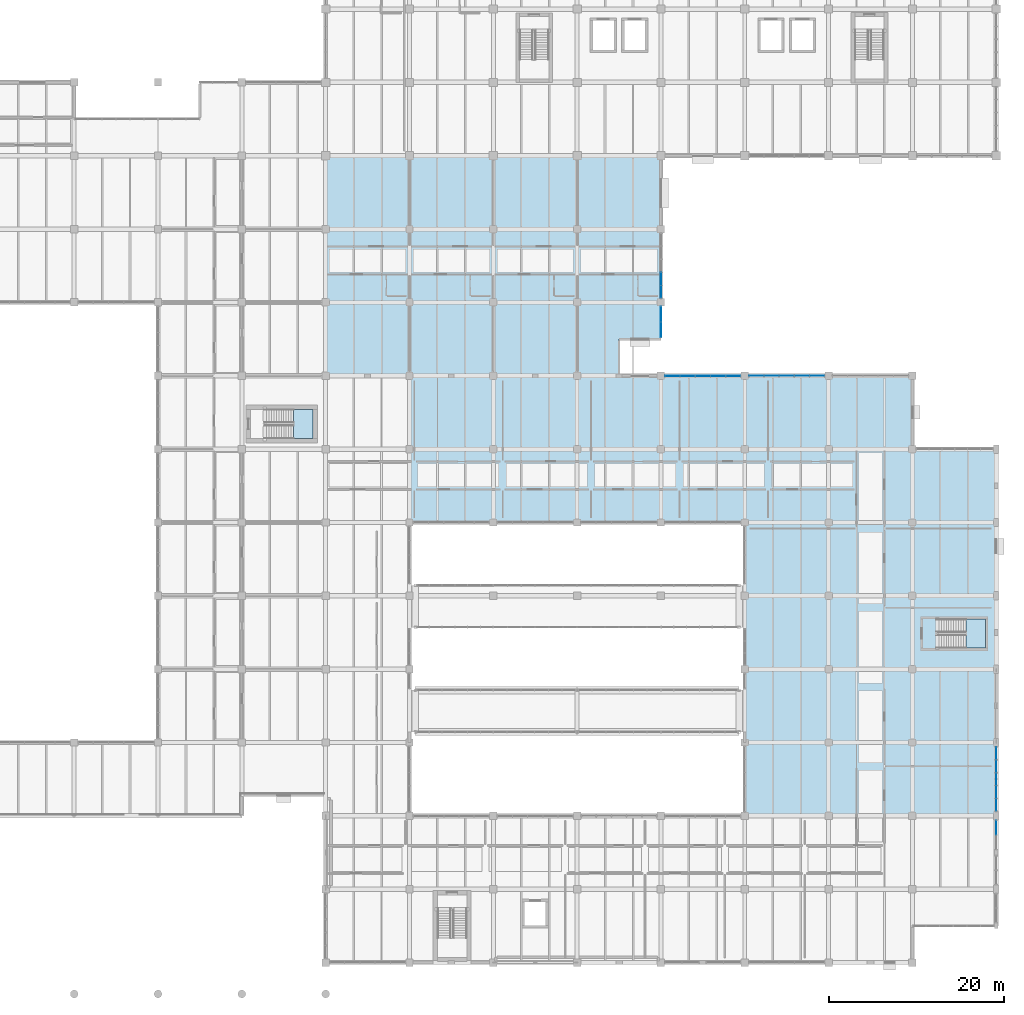
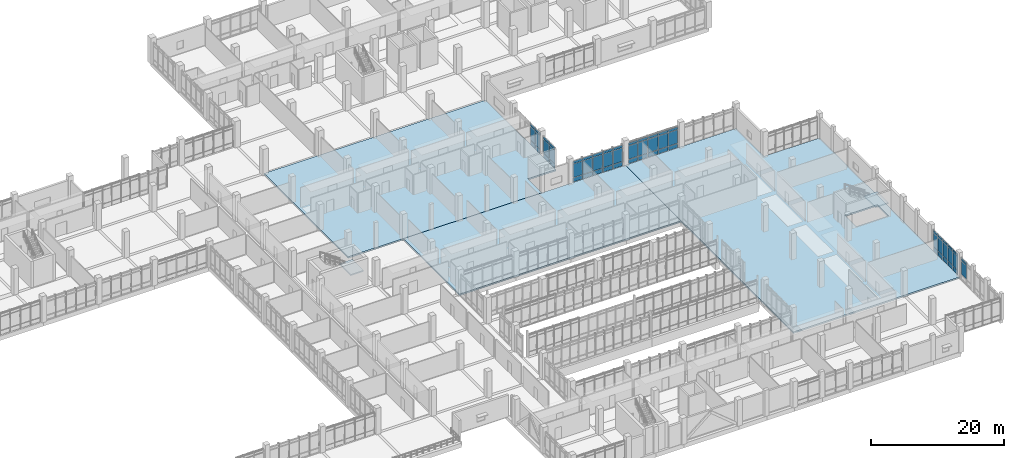
# One storey, part 104 of 152: 59 plates, 5 slabs, 8 elements without a shape of their own.
"""IFC4 building model written with IfcOpenShell, lengths in metres."""

from ifc_helpers import new_model, si_unit, direction, frame, origin, origin_2d, place, context, subcontext, project, spatial, polyline, rectangle, outline, extrude, material, layer, layer_set, type_object, element, aggregate, save


model = new_model("IFC4")

# Units and contexts
model_context = context("Model", 3, precision=1e-05, world=origin(), true_north=direction((0.0, 1.0)))
body_context = subcontext(model_context, "Body", "Model", "MODEL_VIEW")
ifc_project = project(units=[si_unit("LENGTHUNIT", "METRE"), si_unit("AREAUNIT", "SQUARE_METRE"), si_unit("VOLUMEUNIT", "CUBIC_METRE"), si_unit("PLANEANGLEUNIT", "RADIAN"), si_unit("MASSUNIT", "GRAM", prefix="KILO")], contexts=[model_context])

# Site, building, storey
site_placement = place(None, origin())
site = spatial("IfcSite", under=ifc_project, at=site_placement, CompositionType="ELEMENT")
building_placement = place(site_placement, origin())
building = spatial("IfcBuilding", under=site, at=building_placement, Name="Oolite Switchyard Hospital", CompositionType="ELEMENT")
storey_placement = place(building_placement, frame((0.0, 0.0, 5.10009765625)))
storey = spatial("IfcBuildingStorey", under=building, at=storey_placement, Name="L01", CompositionType="ELEMENT", Elevation=5.10009765625)

# Curtain wall, plates
ifc_material_1 = material(Name="Thermally broken aluminum frame with laminated impact glazing", Category="aluminium")
curtain_wall_type_1 = type_object("IfcCurtainWallType", Name="CW-UNIT-96X48", PredefinedType="USERDEFINED", material=ifc_material_1)
curtain_wall_1_placement = place(storey_placement, origin())
curtain_wall_1 = element("IfcCurtainWall", 1, at=curtain_wall_1_placement, inside=storey, type_object=curtain_wall_type_1, Name="L01 Unitised Curtain Wall 135", ObjectType="UNITISED", PredefinedType="USERDEFINED")
ifc_material_2 = material(Name="Insulated fluoropolymer-coated aluminum spandrel panel", Category="aluminium")
ifc_layer_1 = layer(ifc_material_2, 0.054931640625)
ifc_layer_set_1 = layer_set([ifc_layer_1], Name="CW-PNL-SPN55")
plate_type_1 = type_object("IfcPlateType", Name="CW-PNL-SPN55", PredefinedType="CURTAIN_PANEL", material=ifc_layer_set_1)
plate_1_placement = place(storey_placement, frame((174.12939453125, 75.60009765625, 0.07470703125), z_axis=(0.0, 0.0, 1.0), x_axis=(1.0, 0.0, 0.0)))
plate_1 = element("IfcPlate", 2, at=plate_1_placement, type_object=plate_type_1, Name="CW-02 panel 1.1", PredefinedType="CURTAIN_PANEL", context=body_context, shape_type="SweptSolid", body=[
    extrude(rectangle(XDim=1.638916015625, YDim=0.054931640625, at=origin_2d()), origin(), (0.0, 0.0, 1.0), 0.737548828125),
])
plate_2_placement = place(storey_placement, frame((174.12939453125, 75.60009765625, 0.88720703125), z_axis=(0.0, 0.0, 1.0), x_axis=(1.0, 0.0, 0.0)))
plate_2 = element("IfcPlate", 3, at=plate_2_placement, type_object=plate_type_1, Name="CW-02 panel 1.2", PredefinedType="CURTAIN_PANEL", context=body_context, shape_type="SweptSolid", body=[
    extrude(rectangle(XDim=1.638916015625, YDim=0.054931640625, at=origin_2d()), origin(), (0.0, 0.0, 1.0), 2.465087890625),
])
plate_3_placement = place(storey_placement, frame((174.12939453125, 75.60009765625, 3.427490234375), z_axis=(0.0, 0.0, 1.0), x_axis=(1.0, 0.0, 0.0)))
plate_3 = element("IfcPlate", 4, at=plate_3_placement, type_object=plate_type_1, Name="CW-02 panel 1.3", PredefinedType="CURTAIN_PANEL", context=body_context, shape_type="SweptSolid", body=[
    extrude(rectangle(XDim=1.638916015625, YDim=0.054931640625, at=origin_2d()), origin(), (0.0, 0.0, 1.0), 0.4375),
])
plate_4_placement = place(storey_placement, frame((175.85595703125, 75.60009765625, 0.07470703125), z_axis=(0.0, 0.0, 1.0), x_axis=(1.0, 0.0, 0.0)))
plate_4 = element("IfcPlate", 5, at=plate_4_placement, type_object=plate_type_1, Name="CW-02 panel 2.1", PredefinedType="CURTAIN_PANEL", context=body_context, shape_type="SweptSolid", body=[
    extrude(rectangle(XDim=1.674072265625, YDim=0.054931640625, at=origin_2d()), origin(), (0.0, 0.0, 1.0), 0.737548828125),
])
plate_5_placement = place(storey_placement, frame((175.85595703125, 75.60009765625, 0.88720703125), z_axis=(0.0, 0.0, 1.0), x_axis=(1.0, 0.0, 0.0)))
plate_5 = element("IfcPlate", 6, at=plate_5_placement, type_object=plate_type_1, Name="CW-02 panel 2.2", PredefinedType="CURTAIN_PANEL", context=body_context, shape_type="SweptSolid", body=[
    extrude(rectangle(XDim=1.674072265625, YDim=0.054931640625, at=origin_2d()), origin(), (0.0, 0.0, 1.0), 2.465087890625),
])
plate_6_placement = place(storey_placement, frame((175.85595703125, 75.60009765625, 3.427490234375), z_axis=(0.0, 0.0, 1.0), x_axis=(1.0, 0.0, 0.0)))
plate_6 = element("IfcPlate", 7, at=plate_6_placement, type_object=plate_type_1, Name="CW-02 panel 2.3", PredefinedType="CURTAIN_PANEL", context=body_context, shape_type="SweptSolid", body=[
    extrude(rectangle(XDim=1.674072265625, YDim=0.054931640625, at=origin_2d()), origin(), (0.0, 0.0, 1.0), 0.4375),
])
plate_7_placement = place(storey_placement, frame((177.60009765625, 75.60009765625, 0.07470703125), z_axis=(0.0, 0.0, 1.0), x_axis=(1.0, 0.0, 0.0)))
plate_7 = element("IfcPlate", 8, at=plate_7_placement, type_object=plate_type_1, Name="CW-02 panel 3.1", PredefinedType="CURTAIN_PANEL", context=body_context, shape_type="SweptSolid", body=[
    extrude(rectangle(XDim=1.674072265625, YDim=0.054931640625, at=origin_2d()), origin(), (0.0, 0.0, 1.0), 0.737548828125),
])
plate_8_placement = place(storey_placement, frame((177.60009765625, 75.60009765625, 0.88720703125), z_axis=(0.0, 0.0, 1.0), x_axis=(1.0, 0.0, 0.0)))
plate_8 = element("IfcPlate", 9, at=plate_8_placement, type_object=plate_type_1, Name="CW-02 panel 3.2", PredefinedType="CURTAIN_PANEL", context=body_context, shape_type="SweptSolid", body=[
    extrude(rectangle(XDim=1.674072265625, YDim=0.054931640625, at=origin_2d()), origin(), (0.0, 0.0, 1.0), 2.465087890625),
])
plate_9_placement = place(storey_placement, frame((177.60009765625, 75.60009765625, 3.427490234375), z_axis=(0.0, 0.0, 1.0), x_axis=(1.0, 0.0, 0.0)))
plate_9 = element("IfcPlate", 10, at=plate_9_placement, type_object=plate_type_1, Name="CW-02 panel 3.3", PredefinedType="CURTAIN_PANEL", context=body_context, shape_type="SweptSolid", body=[
    extrude(rectangle(XDim=1.674072265625, YDim=0.054931640625, at=origin_2d()), origin(), (0.0, 0.0, 1.0), 0.4375),
])
plate_10_placement = place(storey_placement, frame((179.343994140625, 75.60009765625, 0.07470703125), z_axis=(0.0, 0.0, 1.0), x_axis=(1.0, 0.0, 0.0)))
plate_10 = element("IfcPlate", 11, at=plate_10_placement, type_object=plate_type_1, Name="CW-02 panel 4.1", PredefinedType="CURTAIN_PANEL", context=body_context, shape_type="SweptSolid", body=[
    extrude(rectangle(XDim=1.674072265625, YDim=0.054931640625, at=origin_2d()), origin(), (0.0, 0.0, 1.0), 0.737548828125),
])
plate_11_placement = place(storey_placement, frame((179.343994140625, 75.60009765625, 0.88720703125), z_axis=(0.0, 0.0, 1.0), x_axis=(1.0, 0.0, 0.0)))
plate_11 = element("IfcPlate", 12, at=plate_11_placement, type_object=plate_type_1, Name="CW-02 panel 4.2", PredefinedType="CURTAIN_PANEL", context=body_context, shape_type="SweptSolid", body=[
    extrude(rectangle(XDim=1.674072265625, YDim=0.054931640625, at=origin_2d()), origin(), (0.0, 0.0, 1.0), 2.465087890625),
])
plate_12_placement = place(storey_placement, frame((179.343994140625, 75.60009765625, 3.427490234375), z_axis=(0.0, 0.0, 1.0), x_axis=(1.0, 0.0, 0.0)))
plate_12 = element("IfcPlate", 13, at=plate_12_placement, type_object=plate_type_1, Name="CW-02 panel 4.3", PredefinedType="CURTAIN_PANEL", context=body_context, shape_type="SweptSolid", body=[
    extrude(rectangle(XDim=1.674072265625, YDim=0.054931640625, at=origin_2d()), origin(), (0.0, 0.0, 1.0), 0.4375),
])
plate_13_placement = place(storey_placement, frame((181.070556640625, 75.60009765625, 0.07470703125), z_axis=(0.0, 0.0, 1.0), x_axis=(1.0, 0.0, 0.0)))
plate_13 = element("IfcPlate", 14, at=plate_13_placement, type_object=plate_type_1, Name="CW-02 panel 5.1", PredefinedType="CURTAIN_PANEL", context=body_context, shape_type="SweptSolid", body=[
    extrude(rectangle(XDim=1.638916015625, YDim=0.054931640625, at=origin_2d()), origin(), (0.0, 0.0, 1.0), 0.737548828125),
])
plate_14_placement = place(storey_placement, frame((181.070556640625, 75.60009765625, 0.88720703125), z_axis=(0.0, 0.0, 1.0), x_axis=(1.0, 0.0, 0.0)))
plate_14 = element("IfcPlate", 15, at=plate_14_placement, type_object=plate_type_1, Name="CW-02 panel 5.2", PredefinedType="CURTAIN_PANEL", context=body_context, shape_type="SweptSolid", body=[
    extrude(rectangle(XDim=1.638916015625, YDim=0.054931640625, at=origin_2d()), origin(), (0.0, 0.0, 1.0), 2.465087890625),
])
plate_15_placement = place(storey_placement, frame((181.070556640625, 75.60009765625, 3.427490234375), z_axis=(0.0, 0.0, 1.0), x_axis=(1.0, 0.0, 0.0)))
plate_15 = element("IfcPlate", 16, at=plate_15_placement, type_object=plate_type_1, Name="CW-02 panel 5.3", PredefinedType="CURTAIN_PANEL", context=body_context, shape_type="SweptSolid", body=[
    extrude(rectangle(XDim=1.638916015625, YDim=0.054931640625, at=origin_2d()), origin(), (0.0, 0.0, 1.0), 0.4375),
])
aggregate(curtain_wall_1, [plate_1, plate_2, plate_3, plate_4, plate_5, plate_6, plate_7, plate_8, plate_9, plate_10, plate_11, plate_12, plate_13, plate_14, plate_15])

curtain_wall_2_placement = place(storey_placement, origin())
curtain_wall_2 = element("IfcCurtainWall", 17, at=curtain_wall_2_placement, inside=storey, type_object=curtain_wall_type_1, Name="L01 Unitised Curtain Wall 136", ObjectType="UNITISED", PredefinedType="USERDEFINED")
ifc_material_3 = material(Name="Laminated hurricane-impact insulated glazing unit", Category="glass")
ifc_layer_2 = layer(ifc_material_3, 0.028076171875)
ifc_layer_set_2 = layer_set([ifc_layer_2], Name="CW-PNL-VIS28")
plate_type_2 = type_object("IfcPlateType", Name="CW-PNL-VIS28", PredefinedType="CURTAIN_PANEL", material=ifc_layer_set_2)
plate_16_placement = place(storey_placement, frame((183.730712890625, 75.60009765625, 0.06005859375), z_axis=(0.0, 0.0, 1.0), x_axis=(1.0, 0.0, 0.0)))
plate_16 = element("IfcPlate", 18, at=plate_16_placement, type_object=plate_type_2, Name="CW-02 panel 1.1", PredefinedType="CURTAIN_PANEL", context=body_context, shape_type="SweptSolid", body=[
    extrude(rectangle(XDim=1.631591796875, YDim=0.028076171875, at=origin_2d()), origin(), (0.0, 0.0, 1.0), 0.760009765625),
])
plate_17_placement = place(storey_placement, frame((183.730712890625, 75.60009765625, 0.8798828125), z_axis=(0.0, 0.0, 1.0), x_axis=(1.0, 0.0, 0.0)))
plate_17 = element("IfcPlate", 19, at=plate_17_placement, type_object=plate_type_2, Name="CW-02 panel 1.2", PredefinedType="CURTAIN_PANEL", context=body_context, shape_type="SweptSolid", body=[
    extrude(rectangle(XDim=1.631591796875, YDim=0.028076171875, at=origin_2d()), origin(), (0.0, 0.0, 1.0), 2.47998046875),
])
plate_18_placement = place(storey_placement, frame((183.730712890625, 75.60009765625, 3.419921875), z_axis=(0.0, 0.0, 1.0), x_axis=(1.0, 0.0, 0.0)))
plate_18 = element("IfcPlate", 20, at=plate_18_placement, type_object=plate_type_2, Name="CW-02 panel 1.3", PredefinedType="CURTAIN_PANEL", context=body_context, shape_type="SweptSolid", body=[
    extrude(rectangle(XDim=1.631591796875, YDim=0.028076171875, at=origin_2d()), origin(), (0.0, 0.0, 1.0), 0.4599609375),
])
plate_19_placement = place(storey_placement, frame((185.4560546875, 75.60009765625, 0.06005859375), z_axis=(0.0, 0.0, 1.0), x_axis=(1.0, 0.0, 0.0)))
plate_19 = element("IfcPlate", 21, at=plate_19_placement, type_object=plate_type_2, Name="CW-02 panel 2.1", PredefinedType="CURTAIN_PANEL", context=body_context, shape_type="SweptSolid", body=[
    extrude(rectangle(XDim=1.6689453125, YDim=0.028076171875, at=origin_2d()), origin(), (0.0, 0.0, 1.0), 0.760009765625),
])
plate_20_placement = place(storey_placement, frame((185.4560546875, 75.60009765625, 0.8798828125), z_axis=(0.0, 0.0, 1.0), x_axis=(1.0, 0.0, 0.0)))
plate_20 = element("IfcPlate", 22, at=plate_20_placement, type_object=plate_type_2, Name="CW-02 panel 2.2", PredefinedType="CURTAIN_PANEL", context=body_context, shape_type="SweptSolid", body=[
    extrude(rectangle(XDim=1.6689453125, YDim=0.028076171875, at=origin_2d()), origin(), (0.0, 0.0, 1.0), 2.47998046875),
])
plate_21_placement = place(storey_placement, frame((185.4560546875, 75.60009765625, 3.419921875), z_axis=(0.0, 0.0, 1.0), x_axis=(1.0, 0.0, 0.0)))
plate_21 = element("IfcPlate", 23, at=plate_21_placement, type_object=plate_type_2, Name="CW-02 panel 2.3", PredefinedType="CURTAIN_PANEL", context=body_context, shape_type="SweptSolid", body=[
    extrude(rectangle(XDim=1.6689453125, YDim=0.028076171875, at=origin_2d()), origin(), (0.0, 0.0, 1.0), 0.4599609375),
])
plate_22_placement = place(storey_placement, frame((187.199951171875, 75.60009765625, 0.06005859375), z_axis=(0.0, 0.0, 1.0), x_axis=(1.0, 0.0, 0.0)))
plate_22 = element("IfcPlate", 24, at=plate_22_placement, type_object=plate_type_2, Name="CW-02 panel 3.1", PredefinedType="CURTAIN_PANEL", context=body_context, shape_type="SweptSolid", body=[
    extrude(rectangle(XDim=1.6689453125, YDim=0.028076171875, at=origin_2d()), origin(), (0.0, 0.0, 1.0), 0.760009765625),
])
plate_23_placement = place(storey_placement, frame((187.199951171875, 75.60009765625, 0.8798828125), z_axis=(0.0, 0.0, 1.0), x_axis=(1.0, 0.0, 0.0)))
plate_23 = element("IfcPlate", 25, at=plate_23_placement, type_object=plate_type_2, Name="CW-02 panel 3.2", PredefinedType="CURTAIN_PANEL", context=body_context, shape_type="SweptSolid", body=[
    extrude(rectangle(XDim=1.6689453125, YDim=0.028076171875, at=origin_2d()), origin(), (0.0, 0.0, 1.0), 2.47998046875),
])
plate_24_placement = place(storey_placement, frame((187.199951171875, 75.60009765625, 3.419921875), z_axis=(0.0, 0.0, 1.0), x_axis=(1.0, 0.0, 0.0)))
plate_24 = element("IfcPlate", 26, at=plate_24_placement, type_object=plate_type_2, Name="CW-02 panel 3.3", PredefinedType="CURTAIN_PANEL", context=body_context, shape_type="SweptSolid", body=[
    extrude(rectangle(XDim=1.6689453125, YDim=0.028076171875, at=origin_2d()), origin(), (0.0, 0.0, 1.0), 0.4599609375),
])
plate_25_placement = place(storey_placement, frame((188.944091796875, 75.60009765625, 0.06005859375), z_axis=(0.0, 0.0, 1.0), x_axis=(1.0, 0.0, 0.0)))
plate_25 = element("IfcPlate", 27, at=plate_25_placement, type_object=plate_type_2, Name="CW-02 panel 4.1", PredefinedType="CURTAIN_PANEL", context=body_context, shape_type="SweptSolid", body=[
    extrude(rectangle(XDim=1.6689453125, YDim=0.028076171875, at=origin_2d()), origin(), (0.0, 0.0, 1.0), 0.760009765625),
])
plate_26_placement = place(storey_placement, frame((188.944091796875, 75.60009765625, 0.8798828125), z_axis=(0.0, 0.0, 1.0), x_axis=(1.0, 0.0, 0.0)))
plate_26 = element("IfcPlate", 28, at=plate_26_placement, type_object=plate_type_2, Name="CW-02 panel 4.2", PredefinedType="CURTAIN_PANEL", context=body_context, shape_type="SweptSolid", body=[
    extrude(rectangle(XDim=1.6689453125, YDim=0.028076171875, at=origin_2d()), origin(), (0.0, 0.0, 1.0), 2.47998046875),
])
plate_27_placement = place(storey_placement, frame((188.944091796875, 75.60009765625, 3.419921875), z_axis=(0.0, 0.0, 1.0), x_axis=(1.0, 0.0, 0.0)))
plate_27 = element("IfcPlate", 29, at=plate_27_placement, type_object=plate_type_2, Name="CW-02 panel 4.3", PredefinedType="CURTAIN_PANEL", context=body_context, shape_type="SweptSolid", body=[
    extrude(rectangle(XDim=1.6689453125, YDim=0.028076171875, at=origin_2d()), origin(), (0.0, 0.0, 1.0), 0.4599609375),
])
plate_28_placement = place(storey_placement, frame((190.669189453125, 75.60009765625, 0.06005859375), z_axis=(0.0, 0.0, 1.0), x_axis=(1.0, 0.0, 0.0)))
plate_28 = element("IfcPlate", 30, at=plate_28_placement, type_object=plate_type_2, Name="CW-02 panel 5.1", PredefinedType="CURTAIN_PANEL", context=body_context, shape_type="SweptSolid", body=[
    extrude(rectangle(XDim=1.631591796875, YDim=0.028076171875, at=origin_2d()), origin(), (0.0, 0.0, 1.0), 0.760009765625),
])
plate_29_placement = place(storey_placement, frame((190.669189453125, 75.60009765625, 0.8798828125), z_axis=(0.0, 0.0, 1.0), x_axis=(1.0, 0.0, 0.0)))
plate_29 = element("IfcPlate", 31, at=plate_29_placement, type_object=plate_type_2, Name="CW-02 panel 5.2", PredefinedType="CURTAIN_PANEL", context=body_context, shape_type="SweptSolid", body=[
    extrude(rectangle(XDim=1.631591796875, YDim=0.028076171875, at=origin_2d()), origin(), (0.0, 0.0, 1.0), 2.47998046875),
])
plate_30_placement = place(storey_placement, frame((190.669189453125, 75.60009765625, 3.419921875), z_axis=(0.0, 0.0, 1.0), x_axis=(1.0, 0.0, 0.0)))
plate_30 = element("IfcPlate", 32, at=plate_30_placement, type_object=plate_type_2, Name="CW-02 panel 5.3", PredefinedType="CURTAIN_PANEL", context=body_context, shape_type="SweptSolid", body=[
    extrude(rectangle(XDim=1.631591796875, YDim=0.028076171875, at=origin_2d()), origin(), (0.0, 0.0, 1.0), 0.4599609375),
])
aggregate(curtain_wall_2, [plate_16, plate_17, plate_18, plate_19, plate_20, plate_21, plate_22, plate_23, plate_24, plate_25, plate_26, plate_27, plate_28, plate_29, plate_30])

curtain_wall_type_2 = type_object("IfcCurtainWallType", Name="CW-UNIT-84X48", PredefinedType="USERDEFINED", material=ifc_material_1)
curtain_wall_3_placement = place(storey_placement, origin())
curtain_wall_3 = element("IfcCurtainWall", 33, at=curtain_wall_3_placement, inside=storey, type_object=curtain_wall_type_2, Name="L01 Unitised Curtain Wall 202", ObjectType="UNITISED", PredefinedType="USERDEFINED")
ifc_layer_3 = layer(ifc_material_3, 0.031982421875)
ifc_layer_set_3 = layer_set([ifc_layer_3], Name="CW-PNL-VIS32")
plate_type_3 = type_object("IfcPlateType", Name="CW-PNL-VIS32", PredefinedType="CURTAIN_PANEL", material=ifc_layer_set_3)
plate_31_placement = place(storey_placement, frame((211.199951171875, 32.349365234375, 0.06005859375), z_axis=(0.0, 0.0, 1.0), x_axis=(0.0, -1.0, 0.0)))
plate_31 = element("IfcPlate", 34, at=plate_31_placement, type_object=plate_type_3, Name="CW-07 panel 1.1", PredefinedType="CURTAIN_PANEL", context=body_context, shape_type="SweptSolid", body=[
    extrude(rectangle(XDim=1.37158203125, YDim=0.031982421875, at=origin_2d()), origin(), (0.0, 0.0, 1.0), 0.760009765625),
])
plate_32_placement = place(storey_placement, frame((211.199951171875, 32.349365234375, 0.8798828125), z_axis=(0.0, 0.0, 1.0), x_axis=(0.0, -1.0, 0.0)))
plate_32 = element("IfcPlate", 35, at=plate_32_placement, type_object=plate_type_3, Name="CW-07 panel 1.2", PredefinedType="CURTAIN_PANEL", context=body_context, shape_type="SweptSolid", body=[
    extrude(rectangle(XDim=1.37158203125, YDim=0.031982421875, at=origin_2d()), origin(), (0.0, 0.0, 1.0), 2.47998046875),
])
plate_33_placement = place(storey_placement, frame((211.199951171875, 32.349365234375, 3.419921875), z_axis=(0.0, 0.0, 1.0), x_axis=(0.0, -1.0, 0.0)))
plate_33 = element("IfcPlate", 36, at=plate_33_placement, type_object=plate_type_3, Name="CW-07 panel 1.3", PredefinedType="CURTAIN_PANEL", context=body_context, shape_type="SweptSolid", body=[
    extrude(rectangle(XDim=1.37158203125, YDim=0.031982421875, at=origin_2d()), origin(), (0.0, 0.0, 1.0), 0.4599609375),
])
plate_34_placement = place(storey_placement, frame((211.199951171875, 30.884033203125, 0.06005859375), z_axis=(0.0, 0.0, 1.0), x_axis=(0.0, -1.0, 0.0)))
plate_34 = element("IfcPlate", 37, at=plate_34_placement, type_object=plate_type_3, Name="CW-07 panel 2.1", PredefinedType="CURTAIN_PANEL", context=body_context, shape_type="SweptSolid", body=[
    extrude(rectangle(XDim=1.408935546875, YDim=0.031982421875, at=origin_2d()), origin(), (0.0, 0.0, 1.0), 0.760009765625),
])
plate_35_placement = place(storey_placement, frame((211.199951171875, 30.884033203125, 0.8798828125), z_axis=(0.0, 0.0, 1.0), x_axis=(0.0, -1.0, 0.0)))
plate_35 = element("IfcPlate", 38, at=plate_35_placement, type_object=plate_type_3, Name="CW-07 panel 2.2", PredefinedType="CURTAIN_PANEL", context=body_context, shape_type="SweptSolid", body=[
    extrude(rectangle(XDim=1.408935546875, YDim=0.031982421875, at=origin_2d()), origin(), (0.0, 0.0, 1.0), 2.47998046875),
])
plate_36_placement = place(storey_placement, frame((211.199951171875, 30.884033203125, 3.419921875), z_axis=(0.0, 0.0, 1.0), x_axis=(0.0, -1.0, 0.0)))
plate_36 = element("IfcPlate", 39, at=plate_36_placement, type_object=plate_type_3, Name="CW-07 panel 2.3", PredefinedType="CURTAIN_PANEL", context=body_context, shape_type="SweptSolid", body=[
    extrude(rectangle(XDim=1.408935546875, YDim=0.031982421875, at=origin_2d()), origin(), (0.0, 0.0, 1.0), 0.4599609375),
])
plate_37_placement = place(storey_placement, frame((211.199951171875, 29.39990234375, 0.06005859375), z_axis=(0.0, 0.0, 1.0), x_axis=(0.0, -1.0, 0.0)))
plate_37 = element("IfcPlate", 40, at=plate_37_placement, type_object=plate_type_3, Name="CW-07 panel 3.1", PredefinedType="CURTAIN_PANEL", context=body_context, shape_type="SweptSolid", body=[
    extrude(rectangle(XDim=1.408935546875, YDim=0.031982421875, at=origin_2d()), origin(), (0.0, 0.0, 1.0), 0.760009765625),
])
plate_38_placement = place(storey_placement, frame((211.199951171875, 29.39990234375, 0.8798828125), z_axis=(0.0, 0.0, 1.0), x_axis=(0.0, -1.0, 0.0)))
plate_38 = element("IfcPlate", 41, at=plate_38_placement, type_object=plate_type_3, Name="CW-07 panel 3.2", PredefinedType="CURTAIN_PANEL", context=body_context, shape_type="SweptSolid", body=[
    extrude(rectangle(XDim=1.408935546875, YDim=0.031982421875, at=origin_2d()), origin(), (0.0, 0.0, 1.0), 2.47998046875),
])
plate_39_placement = place(storey_placement, frame((211.199951171875, 29.39990234375, 3.419921875), z_axis=(0.0, 0.0, 1.0), x_axis=(0.0, -1.0, 0.0)))
plate_39 = element("IfcPlate", 42, at=plate_39_placement, type_object=plate_type_3, Name="CW-07 panel 3.3", PredefinedType="CURTAIN_PANEL", context=body_context, shape_type="SweptSolid", body=[
    extrude(rectangle(XDim=1.408935546875, YDim=0.031982421875, at=origin_2d()), origin(), (0.0, 0.0, 1.0), 0.4599609375),
])
plate_40_placement = place(storey_placement, frame((211.199951171875, 27.916015625, 0.06005859375), z_axis=(0.0, 0.0, 1.0), x_axis=(0.0, -1.0, 0.0)))
plate_40 = element("IfcPlate", 43, at=plate_40_placement, type_object=plate_type_3, Name="CW-07 panel 4.1", PredefinedType="CURTAIN_PANEL", context=body_context, shape_type="SweptSolid", body=[
    extrude(rectangle(XDim=1.408935546875, YDim=0.031982421875, at=origin_2d()), origin(), (0.0, 0.0, 1.0), 0.760009765625),
])
plate_41_placement = place(storey_placement, frame((211.199951171875, 27.916015625, 0.8798828125), z_axis=(0.0, 0.0, 1.0), x_axis=(0.0, -1.0, 0.0)))
plate_41 = element("IfcPlate", 44, at=plate_41_placement, type_object=plate_type_3, Name="CW-07 panel 4.2", PredefinedType="CURTAIN_PANEL", context=body_context, shape_type="SweptSolid", body=[
    extrude(rectangle(XDim=1.408935546875, YDim=0.031982421875, at=origin_2d()), origin(), (0.0, 0.0, 1.0), 2.47998046875),
])
plate_42_placement = place(storey_placement, frame((211.199951171875, 27.916015625, 3.419921875), z_axis=(0.0, 0.0, 1.0), x_axis=(0.0, -1.0, 0.0)))
plate_42 = element("IfcPlate", 45, at=plate_42_placement, type_object=plate_type_3, Name="CW-07 panel 4.3", PredefinedType="CURTAIN_PANEL", context=body_context, shape_type="SweptSolid", body=[
    extrude(rectangle(XDim=1.408935546875, YDim=0.031982421875, at=origin_2d()), origin(), (0.0, 0.0, 1.0), 0.4599609375),
])
plate_43_placement = place(storey_placement, frame((211.199951171875, 26.45068359375, 0.06005859375), z_axis=(0.0, 0.0, 1.0), x_axis=(0.0, -1.0, 0.0)))
plate_43 = element("IfcPlate", 46, at=plate_43_placement, type_object=plate_type_3, Name="CW-07 panel 5.1", PredefinedType="CURTAIN_PANEL", context=body_context, shape_type="SweptSolid", body=[
    extrude(rectangle(XDim=1.37158203125, YDim=0.031982421875, at=origin_2d()), origin(), (0.0, 0.0, 1.0), 0.760009765625),
])
plate_44_placement = place(storey_placement, frame((211.199951171875, 26.45068359375, 0.8798828125), z_axis=(0.0, 0.0, 1.0), x_axis=(0.0, -1.0, 0.0)))
plate_44 = element("IfcPlate", 47, at=plate_44_placement, type_object=plate_type_3, Name="CW-07 panel 5.2", PredefinedType="CURTAIN_PANEL", context=body_context, shape_type="SweptSolid", body=[
    extrude(rectangle(XDim=1.37158203125, YDim=0.031982421875, at=origin_2d()), origin(), (0.0, 0.0, 1.0), 2.47998046875),
])
plate_45_placement = place(storey_placement, frame((211.199951171875, 26.45068359375, 3.419921875), z_axis=(0.0, 0.0, 1.0), x_axis=(0.0, -1.0, 0.0)))
plate_45 = element("IfcPlate", 48, at=plate_45_placement, type_object=plate_type_3, Name="CW-07 panel 5.3", PredefinedType="CURTAIN_PANEL", context=body_context, shape_type="SweptSolid", body=[
    extrude(rectangle(XDim=1.37158203125, YDim=0.031982421875, at=origin_2d()), origin(), (0.0, 0.0, 1.0), 0.4599609375),
])
aggregate(curtain_wall_3, [plate_31, plate_32, plate_33, plate_34, plate_35, plate_36, plate_37, plate_38, plate_39, plate_40, plate_41, plate_42, plate_43, plate_44, plate_45])

curtain_wall_4_placement = place(storey_placement, origin())
curtain_wall_4 = element("IfcCurtainWall", 49, at=curtain_wall_4_placement, inside=storey, type_object=curtain_wall_type_2, Name="L01 Unitised Curtain Wall 195", ObjectType="UNITISED", PredefinedType="USERDEFINED")
ifc_layer_4 = layer(ifc_material_3, 0.035888671875)
ifc_layer_set_4 = layer_set([ifc_layer_4], Name="CW-PNL-VIS36")
plate_type_4 = type_object("IfcPlateType", Name="CW-PNL-VIS36", PredefinedType="CURTAIN_PANEL", material=ifc_layer_set_4)
plate_46_placement = place(storey_placement, frame((172.800048828125, 86.696044921875, 0.07470703125), z_axis=(0.0, 0.0, 1.0), x_axis=(0.0, -1.0, 0.0)))
plate_46 = element("IfcPlate", 50, at=plate_46_placement, type_object=plate_type_4, Name="CW-07 panel 4.1", PredefinedType="CURTAIN_PANEL", context=body_context, shape_type="SweptSolid", body=[
    extrude(rectangle(XDim=1.43408203125, YDim=0.035888671875, at=origin_2d()), origin(), (0.0, 0.0, 1.0), 0.737548828125),
])
plate_47_placement = place(storey_placement, frame((172.800048828125, 86.696044921875, 0.88720703125), z_axis=(0.0, 0.0, 1.0), x_axis=(0.0, -1.0, 0.0)))
plate_47 = element("IfcPlate", 51, at=plate_47_placement, type_object=plate_type_4, Name="CW-07 panel 4.2", PredefinedType="CURTAIN_PANEL", context=body_context, shape_type="SweptSolid", body=[
    extrude(rectangle(XDim=1.43408203125, YDim=0.035888671875, at=origin_2d()), origin(), (0.0, 0.0, 1.0), 2.465087890625),
])
plate_48_placement = place(storey_placement, frame((172.800048828125, 86.696044921875, 3.427490234375), z_axis=(0.0, 0.0, 1.0), x_axis=(0.0, -1.0, 0.0)))
plate_48 = element("IfcPlate", 52, at=plate_48_placement, type_object=plate_type_4, Name="CW-07 panel 4.3", PredefinedType="CURTAIN_PANEL", context=body_context, shape_type="SweptSolid", body=[
    extrude(rectangle(XDim=1.43408203125, YDim=0.035888671875, at=origin_2d()), origin(), (0.0, 0.0, 1.0), 0.4375),
])
plate_49_placement = place(storey_placement, frame((172.800048828125, 85.20947265625, 0.07470703125), z_axis=(0.0, 0.0, 1.0), x_axis=(0.0, -1.0, 0.0)))
plate_49 = element("IfcPlate", 53, at=plate_49_placement, type_object=plate_type_4, Name="CW-07 panel 5.1", PredefinedType="CURTAIN_PANEL", context=body_context, shape_type="SweptSolid", body=[
    extrude(rectangle(XDim=1.39892578125, YDim=0.035888671875, at=origin_2d()), origin(), (0.0, 0.0, 1.0), 0.737548828125),
])
plate_50_placement = place(storey_placement, frame((172.800048828125, 85.20947265625, 0.88720703125), z_axis=(0.0, 0.0, 1.0), x_axis=(0.0, -1.0, 0.0)))
plate_50 = element("IfcPlate", 54, at=plate_50_placement, type_object=plate_type_4, Name="CW-07 panel 5.2", PredefinedType="CURTAIN_PANEL", context=body_context, shape_type="SweptSolid", body=[
    extrude(rectangle(XDim=1.39892578125, YDim=0.035888671875, at=origin_2d()), origin(), (0.0, 0.0, 1.0), 2.465087890625),
])
plate_51_placement = place(storey_placement, frame((172.800048828125, 85.20947265625, 3.427490234375), z_axis=(0.0, 0.0, 1.0), x_axis=(0.0, -1.0, 0.0)))
plate_51 = element("IfcPlate", 55, at=plate_51_placement, type_object=plate_type_4, Name="CW-07 panel 5.3", PredefinedType="CURTAIN_PANEL", context=body_context, shape_type="SweptSolid", body=[
    extrude(rectangle(XDim=1.39892578125, YDim=0.035888671875, at=origin_2d()), origin(), (0.0, 0.0, 1.0), 0.4375),
])
aggregate(curtain_wall_4, [plate_46, plate_47, plate_48, plate_49, plate_50, plate_51])

curtain_wall_5_placement = place(storey_placement, origin())
curtain_wall_5 = element("IfcCurtainWall", 56, at=curtain_wall_5_placement, inside=storey, type_object=curtain_wall_type_2, Name="L01 Unitised Curtain Wall 203", ObjectType="UNITISED", PredefinedType="USERDEFINED")
plate_52_placement = place(storey_placement, frame((211.199951171875, 23.8525390625, 0.88720703125), z_axis=(0.0, 0.0, 1.0), x_axis=(0.0, -1.0, 0.0)))
plate_52 = element("IfcPlate", 57, at=plate_52_placement, type_object=plate_type_4, Name="CW-07 panel 1.2", PredefinedType="CURTAIN_PANEL", context=body_context, shape_type="SweptSolid", body=[
    extrude(rectangle(XDim=1.594970703125, YDim=0.035888671875, at=origin_2d()), origin(), (0.0, 0.0, 1.0), 2.465087890625),
])
plate_53_placement = place(storey_placement, frame((211.199951171875, 23.8525390625, 3.427490234375), z_axis=(0.0, 0.0, 1.0), x_axis=(0.0, -1.0, 0.0)))
plate_53 = element("IfcPlate", 58, at=plate_53_placement, type_object=plate_type_4, Name="CW-07 panel 1.3", PredefinedType="CURTAIN_PANEL", context=body_context, shape_type="SweptSolid", body=[
    extrude(rectangle(XDim=1.594970703125, YDim=0.035888671875, at=origin_2d()), origin(), (0.0, 0.0, 1.0), 0.4375),
])
aggregate(curtain_wall_5, [plate_52, plate_53])

curtain_wall_6_placement = place(storey_placement, origin())
curtain_wall_6 = element("IfcCurtainWall", 59, at=curtain_wall_6_placement, inside=storey, type_object=curtain_wall_type_2, Name="L01 Unitised Curtain Wall 196", ObjectType="UNITISED", PredefinedType="USERDEFINED")
ifc_layer_5 = layer(ifc_material_3, 0.0419921875)
ifc_layer_set_5 = layer_set([ifc_layer_5], Name="CW-PNL-VIS42")
plate_type_5 = type_object("IfcPlateType", Name="CW-PNL-VIS42", PredefinedType="CURTAIN_PANEL", material=ifc_layer_set_5)
plate_54_placement = place(storey_placement, frame((172.800048828125, 82.641357421875, 0.06005859375), z_axis=(0.0, 0.0, 1.0), x_axis=(0.0, -1.0, 0.0)))
plate_54 = element("IfcPlate", 60, at=plate_54_placement, type_object=plate_type_5, Name="CW-07 panel 1.1", PredefinedType="CURTAIN_PANEL", context=body_context, shape_type="SweptSolid", body=[
    extrude(rectangle(XDim=1.6875, YDim=0.0419921875, at=origin_2d()), origin(), (0.0, 0.0, 1.0), 0.760009765625),
])
plate_55_placement = place(storey_placement, frame((172.800048828125, 82.641357421875, 0.8798828125), z_axis=(0.0, 0.0, 1.0), x_axis=(0.0, -1.0, 0.0)))
plate_55 = element("IfcPlate", 61, at=plate_55_placement, type_object=plate_type_5, Name="CW-07 panel 1.2", PredefinedType="CURTAIN_PANEL", context=body_context, shape_type="SweptSolid", body=[
    extrude(rectangle(XDim=1.6875, YDim=0.0419921875, at=origin_2d()), origin(), (0.0, 0.0, 1.0), 2.47998046875),
])
plate_56_placement = place(storey_placement, frame((172.800048828125, 82.641357421875, 3.419921875), z_axis=(0.0, 0.0, 1.0), x_axis=(0.0, -1.0, 0.0)))
plate_56 = element("IfcPlate", 62, at=plate_56_placement, type_object=plate_type_5, Name="CW-07 panel 1.3", PredefinedType="CURTAIN_PANEL", context=body_context, shape_type="SweptSolid", body=[
    extrude(rectangle(XDim=1.6875, YDim=0.0419921875, at=origin_2d()), origin(), (0.0, 0.0, 1.0), 0.4599609375),
])
plate_57_placement = place(storey_placement, frame((172.800048828125, 80.878662109375, 0.06005859375), z_axis=(0.0, 0.0, 1.0), x_axis=(0.0, -1.0, 0.0)))
plate_57 = element("IfcPlate", 63, at=plate_57_placement, type_object=plate_type_5, Name="CW-07 panel 2.1", PredefinedType="CURTAIN_PANEL", context=body_context, shape_type="SweptSolid", body=[
    extrude(rectangle(XDim=1.6875, YDim=0.0419921875, at=origin_2d()), origin(), (0.0, 0.0, 1.0), 0.760009765625),
])
plate_58_placement = place(storey_placement, frame((172.800048828125, 80.878662109375, 0.8798828125), z_axis=(0.0, 0.0, 1.0), x_axis=(0.0, -1.0, 0.0)))
plate_58 = element("IfcPlate", 64, at=plate_58_placement, type_object=plate_type_5, Name="CW-07 panel 2.2", PredefinedType="CURTAIN_PANEL", context=body_context, shape_type="SweptSolid", body=[
    extrude(rectangle(XDim=1.6875, YDim=0.0419921875, at=origin_2d()), origin(), (0.0, 0.0, 1.0), 2.47998046875),
])
plate_59_placement = place(storey_placement, frame((172.800048828125, 80.878662109375, 3.419921875), z_axis=(0.0, 0.0, 1.0), x_axis=(0.0, -1.0, 0.0)))
plate_59 = element("IfcPlate", 65, at=plate_59_placement, type_object=plate_type_5, Name="CW-07 panel 2.3", PredefinedType="CURTAIN_PANEL", context=body_context, shape_type="SweptSolid", body=[
    extrude(rectangle(XDim=1.6875, YDim=0.0419921875, at=origin_2d()), origin(), (0.0, 0.0, 1.0), 0.4599609375),
])
aggregate(curtain_wall_6, [plate_54, plate_55, plate_56, plate_57, plate_58, plate_59])

# Slabs
ifc_material_4 = material(Name="Concrete C40/50", Category="concrete")
ifc_layer_6 = layer(ifc_material_4, 0.27490234375)
ifc_layer_set_6 = layer_set([ifc_layer_6], Name="SLB-FLR-275")
slab_type_1 = type_object("IfcSlabType", Name="SLB-FLR-275", PredefinedType="FLOOR", material=ifc_layer_set_6)
slab_1_placement = place(storey_placement, frame((0.0, 0.0, -0.275146484375)))
element("IfcSlab", 66, at=slab_1_placement, inside=storey, type_object=slab_type_1, Name="L01 V6 Slab V6E", PredefinedType="FLOOR", context=body_context, shape_type="SweptSolid", body=[
    extrude(outline(polyline([(182.39990234375, 25.199951171875), (211.199951171875, 25.199951171875), (211.199951171875, 67.199951171875), (201.60009765625, 67.199951171875), (201.60009765625, 75.60009765625), (182.39990234375, 75.60009765625), (182.39990234375, 25.199951171875)]), holes=[polyline([(204.360107421875, 44.39990234375), (209.949951171875, 44.39990234375), (209.949951171875, 47.760009765625), (204.360107421875, 47.760009765625), (204.360107421875, 44.39990234375)])]), origin(), (0.0, 0.0, 1.0), 0.275146484375),
])
slab_2_placement = place(storey_placement, frame((0.0, 0.0, -0.275146484375)))
element("IfcSlab", 67, at=slab_2_placement, inside=storey, type_object=slab_type_1, Name="L01 V6 Slab V6N", PredefinedType="FLOOR", context=body_context, shape_type="SweptSolid", body=[
    extrude(outline(polyline([(144.0, 58.800048828125), (182.39990234375, 58.800048828125), (182.39990234375, 75.60009765625), (144.0, 75.60009765625), (144.0, 58.800048828125)])), origin(), (0.0, 0.0, 1.0), 0.275146484375),
])
slab_3_placement = place(storey_placement, frame((0.0, 0.0, -0.275146484375)))
element("IfcSlab", 68, at=slab_3_placement, inside=storey, type_object=slab_type_1, Name="L01 V5E Slab V5EL", PredefinedType="FLOOR", context=body_context, shape_type="SweptSolid", body=[
    extrude(outline(polyline([(134.39990234375, 75.60009765625), (168.0, 75.60009765625), (168.0, 79.800048828125), (172.800048828125, 79.800048828125), (172.800048828125, 100.800048828125), (134.39990234375, 100.800048828125), (134.39990234375, 75.60009765625)])), origin(), (0.0, 0.0, 1.0), 0.275146484375),
])

# Stair, slab
stair_type = type_object("IfcStairType", Name="STR-DL-156-R26", PredefinedType="HALF_TURN_STAIR", material=ifc_material_4)
stair_1_placement = place(storey_placement, origin())
stair_1 = element("IfcStair", 69, at=stair_1_placement, inside=storey, type_object=stair_type, Name="L01 Exit Stair ST-06", PredefinedType="HALF_TURN_STAIR")
ifc_layer_7 = layer(ifc_material_4, 0.199951171875)
ifc_layer_set_7 = layer_set([ifc_layer_7], Name="SLB-LND-200")
slab_type_2 = type_object("IfcSlabType", Name="SLB-LND-200", PredefinedType="LANDING", material=ifc_layer_set_7)
slab_4_placement = place(storey_placement, frame((0.0, 0.0, 2.199951171875)))
slab_4 = element("IfcSlab", 70, at=slab_4_placement, type_object=slab_type_2, Name="ST-06 landing 1", PredefinedType="LANDING", context=body_context, shape_type="SweptSolid", body=[
    extrude(outline(polyline([(207.719970703125, 44.39990234375), (209.949951171875, 44.39990234375), (209.949951171875, 47.760009765625), (207.719970703125, 47.760009765625), (207.719970703125, 44.39990234375)])), origin(), (0.0, 0.0, 1.0), 0.199951171875),
])
aggregate(stair_1, [slab_4])

stair_2_placement = place(storey_placement, origin())
stair_2 = element("IfcStair", 71, at=stair_2_placement, inside=storey, type_object=stair_type, Name="L01 Exit Stair ST-10", PredefinedType="HALF_TURN_STAIR")
slab_5_placement = place(storey_placement, frame((0.0, 0.0, 2.199951171875)))
slab_5 = element("IfcSlab", 72, at=slab_5_placement, type_object=slab_type_2, Name="ST-10 landing 1", PredefinedType="LANDING", context=body_context, shape_type="SweptSolid", body=[
    extrude(outline(polyline([(130.719970703125, 68.39990234375), (132.949951171875, 68.39990234375), (132.949951171875, 71.760009765625), (130.719970703125, 71.760009765625), (130.719970703125, 68.39990234375)])), origin(), (0.0, 0.0, 1.0), 0.199951171875),
])
aggregate(stair_2, [slab_5])

save(model, "model.ifc")
